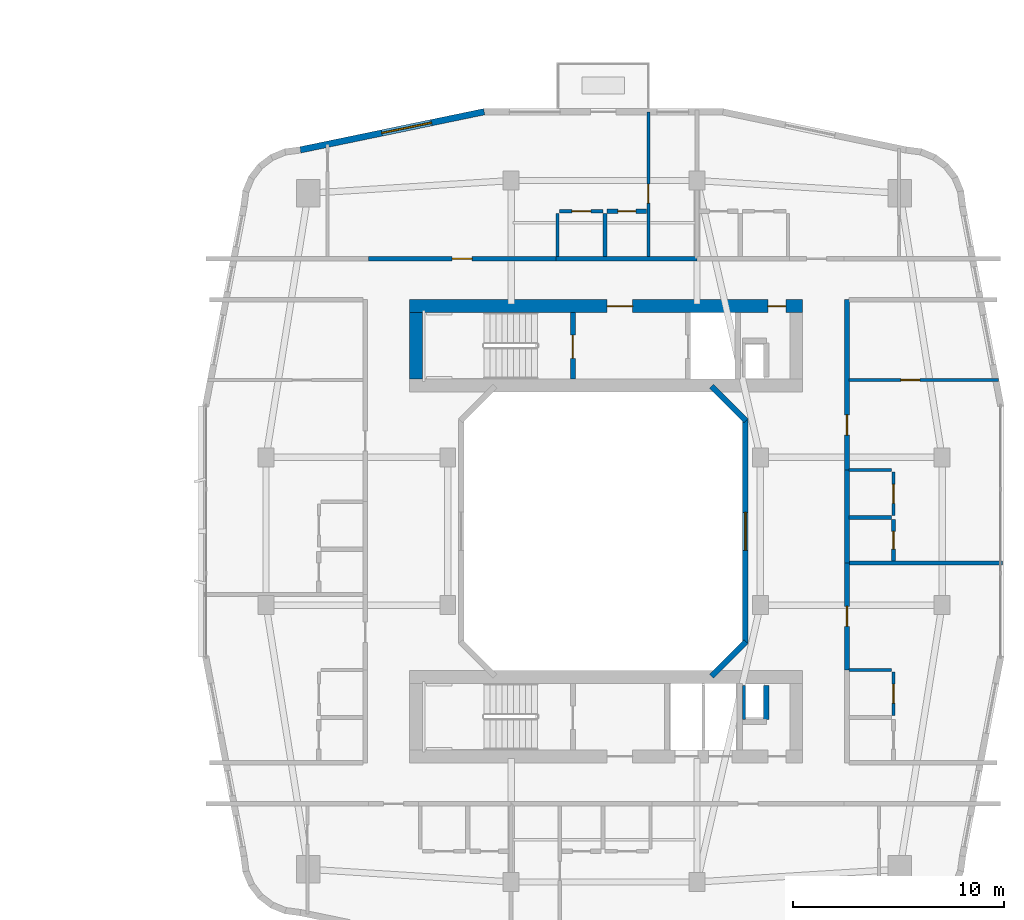
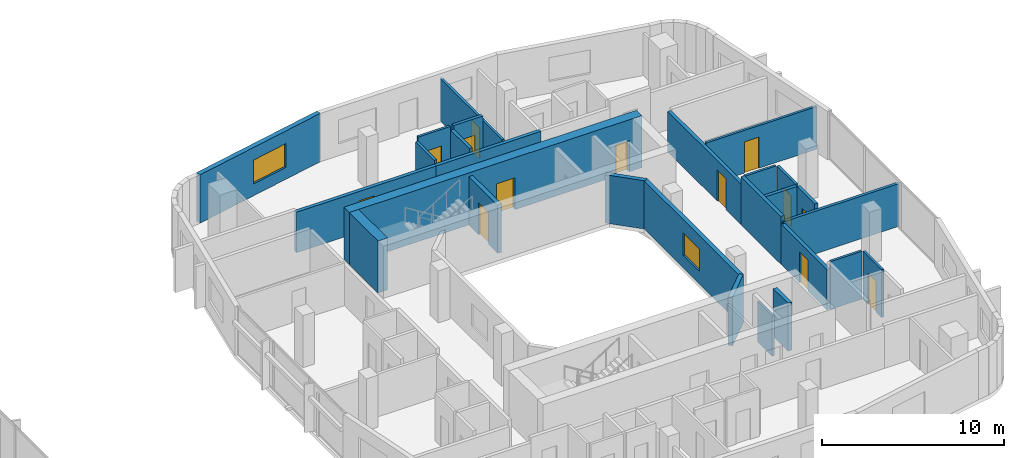
# One storey, part 15 of 22: 27 walls, 13 doors, 2 windows, 15 openings.
"""IFC4 building model written with IfcOpenShell, lengths in metres."""

from ifc_helpers import new_model, si_unit, derived_unit, direction, frame, frame_2d, origin, place, context, subcontext, project, spatial, rectangle, extrude, material, layer, layer_set, type_object, element, fill, save


model = new_model("IFC4")

# Units and contexts
model_context = context("Model", 3, precision=1e-05, world=origin(), true_north=direction((0.0, 1.0)))
body_context = subcontext(model_context, "Body", "Model", "MODEL_VIEW")
ifc_project = project(units=[si_unit("LENGTHUNIT", "METRE"), si_unit("AREAUNIT", "SQUARE_METRE"), si_unit("VOLUMEUNIT", "CUBIC_METRE"), si_unit("PLANEANGLEUNIT", "RADIAN"), si_unit("MASSUNIT", "GRAM", prefix="KILO"), derived_unit("THERMALTRANSMITTANCEUNIT", [(si_unit("POWERUNIT", "WATT"), 1), (si_unit("LENGTHUNIT", "METRE"), -2), (si_unit("THERMODYNAMICTEMPERATUREUNIT", "KELVIN"), -1)])], contexts=[model_context])

# Site, building, storey
site_placement = place(None, origin())
site = spatial("IfcSite", under=ifc_project, at=site_placement, CompositionType="ELEMENT")
building_placement = place(site_placement, origin())
building = spatial("IfcBuilding", under=site, at=building_placement, Name="Kivonza Crest Hotel", CompositionType="ELEMENT")
storey_placement = place(building_placement, frame((0.0, 0.0, 48.5)))
storey = spatial("IfcBuildingStorey", under=building, at=storey_placement, Name="L12", CompositionType="ELEMENT", Elevation=48.5)

# Walls
ifc_material_1 = material(Name="High-density acoustic masonry inter-tenancy wall", Category="masonry")
ifc_layer_1 = layer(ifc_material_1, 0.179931640625)
ifc_layer_set_1 = layer_set([ifc_layer_1], Name="High-density acoustic masonry inter-tenancy wall")
wall_type_1 = type_object("IfcWallType", Name="WL-ACOU-180", PredefinedType="SOLIDWALL", material=ifc_layer_set_1)
wall_1_placement = place(storey_placement, frame((88.5, 23.5, 0.0), z_axis=(0.0, 0.0, 1.0), x_axis=(1.0, 0.0, 0.0)))
element("IfcWall", 1, at=wall_1_placement, inside=storey, type_object=wall_type_1, Name="L12 interior partition WA-L12-T2E-DIV1", PredefinedType="SOLIDWALL", context=body_context, shape_type="SweptSolid", body=[
    extrude(rectangle(XDim=7.360107421875, YDim=0.179931640625, at=frame_2d((3.68017578125, 0.0))), origin(), (0.0, 0.0, 1.0), 2.864990234375),
])
ifc_material_2 = material(Name="Autoclaved aerated concrete blockwork", Category="masonry")
ifc_layer_2 = layer(ifc_material_2, 0.219970703125)
ifc_layer_set_2 = layer_set([ifc_layer_2], Name="Autoclaved aerated concrete blockwork")
wall_type_2 = type_object("IfcWallType", Name="WL-ACOU-220", PredefinedType="SOLIDWALL", material=ifc_layer_set_2)
wall_2_placement = place(storey_placement, frame((74.719970703125, 37.89990234375, 0.0), z_axis=(0.0, 0.0, 1.0), x_axis=(1.0, 0.0, 0.0)))
element("IfcWall", 2, at=wall_2_placement, inside=storey, type_object=wall_type_2, Name="L12 interior partition WA-L12-A01-RCORR", PredefinedType="SOLIDWALL", context=body_context, shape_type="SweptSolid", body=[
    extrude(rectangle(XDim=6.679931640625, YDim=0.219970703125, at=frame_2d((3.33984375, 0.0))), origin(), (0.0, 0.0, 1.0), 2.72509765625),
])

# Wall, opening, door
wall_3_placement = place(storey_placement, frame((65.85009765625, 37.89990234375, 0.0), z_axis=(0.0, 0.0, 1.0), x_axis=(1.0, 0.0, 0.0)))
wall_3 = element("IfcWall", 3, at=wall_3_placement, inside=storey, type_object=wall_type_2, Name="L12 interior partition WA-L12-A01-MCORR", PredefinedType="SOLIDWALL", context=body_context, shape_type="SweptSolid", body=[
    extrude(rectangle(XDim=8.869873046875, YDim=0.219970703125, at=frame_2d((4.43505859375, 0.0))), origin(), (0.0, 0.0, 1.0), 2.72509765625),
])
opening_1_placement = place(wall_3_placement, frame((3.9599609375, 0.0, 0.0)))
opening_1 = element("IfcOpeningElement", 4, at=opening_1_placement, cuts=wall_3, Name="Opening DU-60", PredefinedType="OPENING", context=body_context, shape_type="SweptSolid", body=[
    extrude(rectangle(XDim=0.949951171875, YDim=2.10009765625, at=frame_2d((0.47509765625, 1.050048828125))), frame((0.0, 0.1201171875, 0.0), z_axis=(0.0, -1.0, 0.0), x_axis=(1.0, 0.0, 0.0)), (0.0, 0.0, 1.0), 0.239990234375),
])
ifc_material_3 = material(Name="Hardwood timber oak", Category="wood")
door_type_1 = type_object("IfcDoorType", Name="DR-UNIT-950", OperationType="NOTDEFINED", PredefinedType="DOOR", material=ifc_material_3)
door_1_placement = place(opening_1_placement, origin())
door_1 = element("IfcDoor", 5, at=door_1_placement, inside=storey, type_object=door_type_1, Name="L12 A01 apartment entrance fire door", OperationType="SINGLE_SWING_LEFT", OverallHeight=2.10009765625, OverallWidth=0.949951171875, PredefinedType="DOOR", context=body_context, shape_type="SweptSolid", body=[
    extrude(rectangle(XDim=0.949951171875, YDim=2.10009765625, at=frame_2d((0.47509765625, 1.050048828125))), frame((0.0, 0.02490234375, 0.0), z_axis=(0.0, -1.0, 0.0), x_axis=(1.0, 0.0, 0.0)), (0.0, 0.0, 1.0), 0.050048828125),
])
fill(opening_1, door_1)

wall_4_placement = place(storey_placement, frame((88.5, 18.43994140625, 0.0), z_axis=(0.0, 0.0, 1.0), x_axis=(0.0, 1.0, 0.0)))
wall_4 = element("IfcWall", 6, at=wall_4_placement, inside=storey, type_object=wall_type_2, Name="L12 interior partition WA-L12-A07-MCORR", PredefinedType="SOLIDWALL", context=body_context, shape_type="SweptSolid", body=[
    extrude(rectangle(XDim=5.06005859375, YDim=0.219970703125, at=frame_2d((2.530029296875, 0.0))), origin(), (0.0, 0.0, 1.0), 2.72509765625),
])
opening_2_placement = place(wall_4_placement, frame((2.054931640625, 0.0, 0.0)))
opening_2 = element("IfcOpeningElement", 7, at=opening_2_placement, cuts=wall_4, Name="Opening DU-60", PredefinedType="OPENING", context=body_context, shape_type="SweptSolid", body=[
    extrude(rectangle(XDim=0.949951171875, YDim=2.10009765625, at=frame_2d((0.47509765625, 1.050048828125))), frame((0.0, 0.1201171875, 0.0), z_axis=(0.0, -1.0, 0.0), x_axis=(1.0, 0.0, 0.0)), (0.0, 0.0, 1.0), 0.239990234375),
])
door_2_placement = place(opening_2_placement, frame((0.949951171875, 0.0, 0.0), z_axis=(0.0, 0.0, 1.0), x_axis=(-1.0, 0.0, 0.0)))
door_2 = element("IfcDoor", 8, at=door_2_placement, inside=storey, type_object=door_type_1, Name="L12 A07 apartment entrance fire door", OperationType="SINGLE_SWING_LEFT", OverallHeight=2.10009765625, OverallWidth=0.949951171875, PredefinedType="DOOR", context=body_context, shape_type="SweptSolid", body=[
    extrude(rectangle(XDim=0.949951171875, YDim=2.10009765625, at=frame_2d((0.47509765625, 1.050048828125))), frame((0.0, 0.02490234375, 0.0), z_axis=(0.0, -1.0, 0.0), x_axis=(1.0, 0.0, 0.0)), (0.0, 0.0, 1.0), 0.050048828125),
])
fill(opening_2, door_2)

# Wall
wall_5_placement = place(storey_placement, frame((88.5, 23.5, 0.0), z_axis=(0.0, 0.0, 1.0), x_axis=(0.0, 1.0, 0.0)))
element("IfcWall", 9, at=wall_5_placement, inside=storey, type_object=wall_type_2, Name="L12 interior partition WA-L12-A08-BCORR", PredefinedType="SOLIDWALL", context=body_context, shape_type="SweptSolid", body=[
    extrude(rectangle(XDim=4.39990234375, YDim=0.219970703125, at=frame_2d((2.199951171875, 0.0))), origin(), (0.0, 0.0, 1.0), 3.219970703125),
])

# Wall, opening, door
wall_6_placement = place(storey_placement, frame((88.5, 27.89990234375, 0.0), z_axis=(0.0, 0.0, 1.0), x_axis=(0.0, 1.0, 0.0)))
wall_6 = element("IfcWall", 10, at=wall_6_placement, inside=storey, type_object=wall_type_2, Name="L12 interior partition WA-L12-A08-MCORR", PredefinedType="SOLIDWALL", context=body_context, shape_type="SweptSolid", body=[
    extrude(rectangle(XDim=8.06005859375, YDim=0.219970703125, at=frame_2d((4.030029296875, 0.0))), origin(), (0.0, 0.0, 1.0), 2.72509765625),
])
opening_3_placement = place(wall_6_placement, frame((1.655029296875, 0.0, 0.0)))
opening_3 = element("IfcOpeningElement", 11, at=opening_3_placement, cuts=wall_6, Name="Opening DU-60", PredefinedType="OPENING", context=body_context, shape_type="SweptSolid", body=[
    extrude(rectangle(XDim=0.949951171875, YDim=2.10009765625, at=frame_2d((0.47509765625, 1.050048828125))), frame((0.0, 0.1201171875, 0.0), z_axis=(0.0, -1.0, 0.0), x_axis=(1.0, 0.0, 0.0)), (0.0, 0.0, 1.0), 0.239990234375),
])
door_3_placement = place(opening_3_placement, frame((0.949951171875, 0.0, 0.0), z_axis=(0.0, 0.0, 1.0), x_axis=(-1.0, 0.0, 0.0)))
door_3 = element("IfcDoor", 12, at=door_3_placement, inside=storey, type_object=door_type_1, Name="L12 A08 apartment entrance fire door", OperationType="SINGLE_SWING_RIGHT", OverallHeight=2.10009765625, OverallWidth=0.949951171875, PredefinedType="DOOR", context=body_context, shape_type="SweptSolid", body=[
    extrude(rectangle(XDim=0.949951171875, YDim=2.10009765625, at=frame_2d((0.47509765625, 1.050048828125))), frame((0.0, 0.02490234375, 0.0), z_axis=(0.0, -1.0, 0.0), x_axis=(1.0, 0.0, 0.0)), (0.0, 0.0, 1.0), 0.050048828125),
])
fill(opening_3, door_3)

# Wall, openings, doors
ifc_material_4 = material(Name="Concrete C60/75", Category="concrete")
ifc_layer_3 = layer(ifc_material_4, 0.60009765625)
ifc_layer_set_3 = layer_set([ifc_layer_3], Name="Concrete C60/75")
wall_type_3 = type_object("IfcWallType", Name="WL-CORE-600", PredefinedType="SHEAR", material=ifc_layer_set_3)
wall_7_placement = place(storey_placement, frame((67.800048828125, 35.659912109375, 0.0), z_axis=(0.0, 0.0, 1.0), x_axis=(1.0, 0.0, 0.0)))
wall_7 = element("IfcWall", 13, at=wall_7_placement, inside=storey, type_object=wall_type_3, Name="Core wall T2-N North L12", PredefinedType="SHEAR", context=body_context, shape_type="SweptSolid", body=[
    extrude(rectangle(XDim=18.599853515625, YDim=0.60009765625, at=frame_2d((9.2998046875, 0.0))), origin(), (0.0, 0.0, 1.0), 3.5),
])
opening_4_placement = place(wall_7_placement, frame((9.35009765625, 0.0, 0.0)))
opening_4 = element("IfcOpeningElement", 14, at=opening_4_placement, cuts=wall_7, Name="Opening DF-60", PredefinedType="OPENING", context=body_context, shape_type="SweptSolid", body=[
    extrude(rectangle(XDim=1.199951171875, YDim=2.14990234375, at=frame_2d((0.60009765625, 1.074951171875))), frame((0.0, 0.31005859375, 0.0), z_axis=(0.0, -1.0, 0.0), x_axis=(1.0, 0.0, 0.0)), (0.0, 0.0, 1.0), 0.6201171875),
])
opening_5_placement = place(wall_7_placement, frame((16.949951171875, 0.0, 0.0)))
opening_5 = element("IfcOpeningElement", 15, at=opening_5_placement, cuts=wall_7, Name="Opening DF-60R", PredefinedType="OPENING", context=body_context, shape_type="SweptSolid", body=[
    extrude(rectangle(XDim=0.85009765625, YDim=2.10009765625, at=frame_2d((0.425048828125, 1.050048828125))), frame((0.0, 0.31005859375, 0.0), z_axis=(0.0, -1.0, 0.0), x_axis=(1.0, 0.0, 0.0)), (0.0, 0.0, 1.0), 0.6201171875),
])
door_type_2 = type_object("IfcDoorType", Name="DR-FD60-1200", OperationType="NOTDEFINED", PredefinedType="DOOR", material=ifc_material_3)
door_4_placement = place(opening_4_placement, origin())
door_4 = element("IfcDoor", 16, at=door_4_placement, inside=storey, type_object=door_type_2, Name="L12 T2-N firefighting lobby fire door", OperationType="SINGLE_SWING_RIGHT", OverallHeight=2.14990234375, OverallWidth=1.199951171875, PredefinedType="DOOR", context=body_context, shape_type="SweptSolid", body=[
    extrude(rectangle(XDim=1.199951171875, YDim=2.14990234375, at=frame_2d((0.60009765625, 1.074951171875))), frame((0.0, 0.02490234375, 0.0), z_axis=(0.0, -1.0, 0.0), x_axis=(1.0, 0.0, 0.0)), (0.0, 0.0, 1.0), 0.050048828125),
])
fill(opening_4, door_4)
door_type_3 = type_object("IfcDoorType", Name="DR-FD60-850", OperationType="NOTDEFINED", PredefinedType="DOOR", material=ifc_material_3)
door_5_placement = place(opening_5_placement, origin())
door_5 = element("IfcDoor", 17, at=door_5_placement, inside=storey, type_object=door_type_3, Name="L12 T2-N core room door", OperationType="SINGLE_SWING_RIGHT", OverallHeight=2.10009765625, OverallWidth=0.85009765625, PredefinedType="DOOR", context=body_context, shape_type="SweptSolid", body=[
    extrude(rectangle(XDim=0.85009765625, YDim=2.10009765625, at=frame_2d((0.425048828125, 1.050048828125))), frame((0.0, 0.02490234375, 0.0), z_axis=(0.0, -1.0, 0.0), x_axis=(1.0, 0.0, 0.0)), (0.0, 0.0, 1.0), 0.050048828125),
])
fill(opening_5, door_5)

# Walls
wall_8_placement = place(storey_placement, frame((68.10009765625, 32.199951171875, 0.0), z_axis=(0.0, 0.0, 1.0), x_axis=(0.0, 1.0, 0.0)))
element("IfcWall", 18, at=wall_8_placement, inside=storey, type_object=wall_type_3, Name="Core wall T2-N West L12", PredefinedType="SHEAR", context=body_context, shape_type="SweptSolid", body=[
    extrude(rectangle(XDim=3.16015625, YDim=0.60009765625, at=frame_2d((1.580078125, 0.0))), origin(), (0.0, 0.0, 1.0), 3.5),
])
ifc_material_5 = material(Name="Precast concrete C40/50", Category="concrete")
ifc_layer_4 = layer(ifc_material_5, 0.260009765625)
ifc_layer_set_4 = layer_set([ifc_layer_4], Name="Precast concrete C40/50")
wall_type_4 = type_object("IfcWallType", Name="WL-EXT-260", PredefinedType="STANDARD", material=ifc_layer_set_4)
wall_9_placement = place(storey_placement, frame((82.08203125, 18.137939453125, 0.0), z_axis=(0.0, 0.0, 1.0), x_axis=(0.707106781187, 0.707106781187, 0.0)))
element("IfcWall", 19, at=wall_9_placement, inside=storey, type_object=wall_type_4, Name="L12 T2 light-well exterior wall 2", PredefinedType="STANDARD", context=body_context, shape_type="SweptSolid", body=[
    extrude(rectangle(XDim=2.310791015625, YDim=0.260009765625, at=frame_2d((1.1552734375, 0.0))), origin(), (0.0, 0.0, 1.0), 3.25),
])

# Wall, opening, window
wall_10_placement = place(storey_placement, frame((83.68994140625, 19.7099609375, 0.0), z_axis=(0.0, 0.0, 1.0), x_axis=(0.0, 1.0, 0.0)))
wall_10 = element("IfcWall", 20, at=wall_10_placement, inside=storey, type_object=wall_type_4, Name="L12 T2 light-well exterior wall 3", PredefinedType="STANDARD", context=body_context, shape_type="SweptSolid", body=[
    extrude(rectangle(XDim=10.580078125, YDim=0.260009765625, at=frame_2d((5.2900390625, 0.0))), origin(), (0.0, 0.0, 1.0), 3.25),
])
opening_6_placement = place(wall_10_placement, frame((4.389892578125, 0.0, 0.85009765625)))
opening_6 = element("IfcOpeningElement", 21, at=opening_6_placement, cuts=wall_10, Name="Opening WN-03", PredefinedType="OPENING", context=body_context, shape_type="SweptSolid", body=[
    extrude(rectangle(XDim=1.800048828125, YDim=1.5, at=frame_2d((0.89990234375, 0.75))), frame((0.0, 0.14013671875, 0.0), z_axis=(0.0, -1.0, 0.0), x_axis=(1.0, 0.0, 0.0)), (0.0, 0.0, 1.0), 0.280029296875),
])
ifc_material_6 = material(Name="Thermally broken bronze aluminium and low-E double glazing", Category="aluminium")
window_type_1 = type_object("IfcWindowType", Name="WN-180x150", PartitioningType="DOUBLE_PANEL_VERTICAL", PredefinedType="WINDOW", material=ifc_material_6)
window_1_placement = place(opening_6_placement, origin())
window_1 = element("IfcWindow", 22, at=window_1_placement, inside=storey, type_object=window_type_1, Name="L12 T2 light-well window 3", OverallHeight=1.5, OverallWidth=1.800048828125, PartitioningType="SINGLE_PANEL", PredefinedType="WINDOW", context=body_context, shape_type="SweptSolid", body=[
    extrude(rectangle(XDim=1.800048828125, YDim=1.5, at=frame_2d((0.89990234375, 0.75))), frame((0.0, 0.030029296875, 0.0), z_axis=(0.0, -1.0, 0.0), x_axis=(1.0, 0.0, 0.0)), (0.0, 0.0, 1.0), 0.06005859375),
])
fill(opening_6, window_1)

# Wall
wall_11_placement = place(storey_placement, frame((83.716064453125, 30.22802734375, 0.0), z_axis=(0.0, 0.0, 1.0), x_axis=(-0.707106781187, 0.707106781187, 0.0)))
element("IfcWall", 23, at=wall_11_placement, inside=storey, type_object=wall_type_4, Name="L12 T2 light-well exterior wall 4", PredefinedType="STANDARD", context=body_context, shape_type="SweptSolid", body=[
    extrude(rectangle(XDim=2.310791015625, YDim=0.260009765625, at=frame_2d((1.1552734375, 0.0))), origin(), (0.0, 0.0, 1.0), 3.25),
])

# Wall, opening, window
ifc_layer_5 = layer(ifc_material_5, 0.300048828125)
ifc_layer_set_5 = layer_set([ifc_layer_5], Name="Precast concrete C40/50")
wall_type_5 = type_object("IfcWallType", Name="WL-EXT-300", PredefinedType="STANDARD", material=ifc_layer_set_5)
wall_12_placement = place(storey_placement, frame((71.325927734375, 44.85791015625, 0.0), z_axis=(0.0, 0.0, 1.0), x_axis=(-0.979124350489, -0.203262161453, 0.0)))
wall_12 = element("IfcWall", 24, at=wall_12_placement, inside=storey, type_object=wall_type_5, Name="L12 T2 exterior insulated wall 27", PredefinedType="STANDARD", context=body_context, shape_type="SweptSolid", body=[
    extrude(rectangle(XDim=8.889404296875, YDim=0.300048828125, at=frame_2d((4.44482421875, 0.0))), origin(), (0.0, 0.0, 1.0), 3.25),
])
opening_7_placement = place(wall_12_placement, frame((2.548095703125, 0.0, 0.800048828125)))
opening_7 = element("IfcOpeningElement", 25, at=opening_7_placement, cuts=wall_12, Name="Opening WN-05", PredefinedType="OPENING", context=body_context, shape_type="SweptSolid", body=[
    extrude(rectangle(XDim=2.39990234375, YDim=1.60009765625, at=frame_2d((1.199951171875, 0.800048828125))), frame((0.0, 0.16015625, 0.0), z_axis=(0.0, -1.0, 0.0), x_axis=(1.0, 0.0, 0.0)), (0.0, 0.0, 1.0), 0.320068359375),
])
window_type_2 = type_object("IfcWindowType", Name="WN-240x160", PartitioningType="TRIPLE_PANEL_VERTICAL", PredefinedType="WINDOW", material=ifc_material_6)
window_2_placement = place(opening_7_placement, origin())
window_2 = element("IfcWindow", 26, at=window_2_placement, inside=storey, type_object=window_type_2, Name="L12 T2 facade window 27", OverallHeight=1.60009765625, OverallWidth=2.39990234375, PartitioningType="SINGLE_PANEL", PredefinedType="WINDOW", context=body_context, shape_type="SweptSolid", body=[
    extrude(rectangle(XDim=2.39990234375, YDim=1.60009765625, at=frame_2d((1.199951171875, 0.800048828125))), frame((0.0, 0.030029296875, 0.0), z_axis=(0.0, -1.0, 0.0), x_axis=(1.0, 0.0, 0.0)), (0.0, 0.0, 1.0), 0.06005859375),
])
fill(opening_7, window_2)

# Walls
ifc_material_7 = material(Name="Concrete blockwork fire-compartment wall", Category="masonry")
ifc_layer_6 = layer(ifc_material_7, 0.25)
ifc_layer_set_6 = layer_set([ifc_layer_6], Name="Concrete blockwork fire-compartment wall")
wall_type_6 = type_object("IfcWallType", Name="WL-FIRE-250", PredefinedType="SOLIDWALL", material=ifc_layer_set_6)
wall_13_placement = place(storey_placement, frame((84.679931640625, 16.080078125, 0.0), z_axis=(0.0, 0.0, 1.0), x_axis=(0.0, 1.0, 0.0)))
element("IfcWall", 27, at=wall_13_placement, inside=storey, type_object=wall_type_6, Name="L12 interior partition WA-L12-T2-S-MEPR-E", PredefinedType="SOLIDWALL", context=body_context, shape_type="SweptSolid", body=[
    extrude(rectangle(XDim=1.619873046875, YDim=0.25, at=frame_2d((0.81005859375, 0.0))), origin(), (0.0, 0.0, 1.0), 3.219970703125),
])
ifc_material_8 = material(Name="Twin-stud acoustic gypsum board partition", Category="gypsum")
ifc_layer_7 = layer(ifc_material_8, 0.14990234375)
ifc_layer_set_7 = layer_set([ifc_layer_7], Name="Twin-stud acoustic gypsum board partition")
wall_type_7 = type_object("IfcWallType", Name="WL-PART-150", PredefinedType="PARTITIONING", material=ifc_layer_set_7)
wall_14_placement = place(storey_placement, frame((83.6298828125, 16.080078125, 0.0), z_axis=(0.0, 0.0, 1.0), x_axis=(0.0, 1.0, 0.0)))
element("IfcWall", 28, at=wall_14_placement, inside=storey, type_object=wall_type_7, Name="L12 interior partition WA-L12-T2-S-MEPR-W", PredefinedType="PARTITIONING", context=body_context, shape_type="SweptSolid", body=[
    extrude(rectangle(XDim=1.619873046875, YDim=0.14990234375, at=frame_2d((0.81005859375, 0.0))), origin(), (0.0, 0.0, 1.0), 2.72509765625),
])

# Wall, opening, door
wall_15_placement = place(storey_placement, frame((79.10009765625, 38.0, 0.0), z_axis=(0.0, 0.0, 1.0), x_axis=(0.0, 1.0, 0.0)))
wall_15 = element("IfcWall", 29, at=wall_15_placement, inside=storey, type_object=wall_type_7, Name="L12 interior partition WP-L12-A01-BDW2", PredefinedType="PARTITIONING", context=body_context, shape_type="SweptSolid", body=[
    extrude(rectangle(XDim=6.840087890625, YDim=0.14990234375, at=frame_2d((3.419921875, 0.0))), origin(), (0.0, 0.0, 1.0), 2.864990234375),
])
opening_8_placement = place(wall_15_placement, frame((2.530029296875, 0.0, 0.0)))
opening_8 = element("IfcOpeningElement", 30, at=opening_8_placement, cuts=wall_15, Name="Opening DI-90", PredefinedType="OPENING", context=body_context, shape_type="SweptSolid", body=[
    extrude(rectangle(XDim=0.89990234375, YDim=2.10009765625, at=frame_2d((0.449951171875, 1.050048828125))), frame((0.0, 0.0849609375, 0.0), z_axis=(0.0, -1.0, 0.0), x_axis=(1.0, 0.0, 0.0)), (0.0, 0.0, 1.0), 0.169921875),
])
door_type_4 = type_object("IfcDoorType", Name="DR-INT-900", OperationType="NOTDEFINED", PredefinedType="DOOR", material=ifc_material_3)
door_6_placement = place(opening_8_placement, origin())
door_6 = element("IfcDoor", 31, at=door_6_placement, inside=storey, type_object=door_type_4, Name="L12 A01 bedroom 2 door", OperationType="SINGLE_SWING_LEFT", OverallHeight=2.10009765625, OverallWidth=0.89990234375, PredefinedType="DOOR", context=body_context, shape_type="SweptSolid", body=[
    extrude(rectangle(XDim=0.89990234375, YDim=2.10009765625, at=frame_2d((0.449951171875, 1.050048828125))), frame((0.0, 0.02490234375, 0.0), z_axis=(0.0, -1.0, 0.0), x_axis=(1.0, 0.0, 0.0)), (0.0, 0.0, 1.0), 0.050048828125),
])
fill(opening_8, door_6)

# Wall
wall_16_placement = place(storey_placement, frame((74.800048828125, 38.0, 0.0), z_axis=(0.0, 0.0, 1.0), x_axis=(0.0, 1.0, 0.0)))
element("IfcWall", 32, at=wall_16_placement, inside=storey, type_object=wall_type_7, Name="L12 interior partition WP-L12-A01-KF", PredefinedType="PARTITIONING", context=body_context, shape_type="SweptSolid", body=[
    extrude(rectangle(XDim=2.050048828125, YDim=0.14990234375, at=frame_2d((1.02490234375, 0.0))), origin(), (0.0, 0.0, 1.0), 2.985107421875),
])

# Wall, opening, door
wall_17_placement = place(storey_placement, frame((74.89990234375, 40.14990234375, 0.0), z_axis=(0.0, 0.0, 1.0), x_axis=(1.0, 0.0, 0.0)))
wall_17 = element("IfcWall", 33, at=wall_17_placement, inside=storey, type_object=wall_type_7, Name="L12 interior partition WP-L12-A01-KSVC", PredefinedType="PARTITIONING", context=body_context, shape_type="SweptSolid", body=[
    extrude(rectangle(XDim=2.050048828125, YDim=0.14990234375, at=frame_2d((1.02490234375, 0.0))), origin(), (0.0, 0.0, 1.0), 3.219970703125),
])
opening_9_placement = place(wall_17_placement, frame((0.574951171875, 0.0, 0.0)))
opening_9 = element("IfcOpeningElement", 34, at=opening_9_placement, cuts=wall_17, Name="Opening DI-90", PredefinedType="OPENING", context=body_context, shape_type="SweptSolid", body=[
    extrude(rectangle(XDim=0.89990234375, YDim=2.10009765625, at=frame_2d((0.449951171875, 1.050048828125))), frame((0.0, 0.0849609375, 0.0), z_axis=(0.0, -1.0, 0.0), x_axis=(1.0, 0.0, 0.0)), (0.0, 0.0, 1.0), 0.169921875),
])
door_7_placement = place(opening_9_placement, origin())
door_7 = element("IfcDoor", 35, at=door_7_placement, inside=storey, type_object=door_type_4, Name="L12 A01 apartment kitchen door", OperationType="SINGLE_SWING_LEFT", OverallHeight=2.10009765625, OverallWidth=0.89990234375, PredefinedType="DOOR", context=body_context, shape_type="SweptSolid", body=[
    extrude(rectangle(XDim=0.89990234375, YDim=2.10009765625, at=frame_2d((0.449951171875, 1.050048828125))), frame((0.0, 0.02490234375, 0.0), z_axis=(0.0, -1.0, 0.0), x_axis=(1.0, 0.0, 0.0)), (0.0, 0.0, 1.0), 0.050048828125),
])
fill(opening_9, door_7)

# Wall
wall_18_placement = place(storey_placement, frame((88.60009765625, 18.43994140625, 0.0), z_axis=(0.0, 0.0, 1.0), x_axis=(1.0, 0.0, 0.0)))
element("IfcWall", 36, at=wall_18_placement, inside=storey, type_object=wall_type_7, Name="L12 interior partition WP-L12-A07-KF", PredefinedType="PARTITIONING", context=body_context, shape_type="SweptSolid", body=[
    extrude(rectangle(XDim=2.0, YDim=0.14990234375, at=frame_2d((1.0, 0.0))), origin(), (0.0, 0.0, 1.0), 3.219970703125),
])

# Wall, opening, door
wall_19_placement = place(storey_placement, frame((90.699951171875, 16.2900390625, 0.0), z_axis=(0.0, 0.0, 1.0), x_axis=(0.0, 1.0, 0.0)))
wall_19 = element("IfcWall", 37, at=wall_19_placement, inside=storey, type_object=wall_type_7, Name="L12 interior partition WP-L12-A07-KSVC", PredefinedType="PARTITIONING", context=body_context, shape_type="SweptSolid", body=[
    extrude(rectangle(XDim=2.050048828125, YDim=0.14990234375, at=frame_2d((1.02490234375, 0.0))), origin(), (0.0, 0.0, 1.0), 3.219970703125),
])
opening_10_placement = place(wall_19_placement, frame((0.574951171875, 0.0, 0.0)))
opening_10 = element("IfcOpeningElement", 38, at=opening_10_placement, cuts=wall_19, Name="Opening DI-90", PredefinedType="OPENING", context=body_context, shape_type="SweptSolid", body=[
    extrude(rectangle(XDim=0.89990234375, YDim=2.10009765625, at=frame_2d((0.449951171875, 1.050048828125))), frame((0.0, 0.0849609375, 0.0), z_axis=(0.0, -1.0, 0.0), x_axis=(1.0, 0.0, 0.0)), (0.0, 0.0, 1.0), 0.169921875),
])
door_8_placement = place(opening_10_placement, frame((0.89990234375, 0.0, 0.0), z_axis=(0.0, 0.0, 1.0), x_axis=(-1.0, 0.0, 0.0)))
door_8 = element("IfcDoor", 39, at=door_8_placement, inside=storey, type_object=door_type_4, Name="L12 A07 apartment kitchen door", OperationType="SINGLE_SWING_LEFT", OverallHeight=2.10009765625, OverallWidth=0.89990234375, PredefinedType="DOOR", context=body_context, shape_type="SweptSolid", body=[
    extrude(rectangle(XDim=0.89990234375, YDim=2.10009765625, at=frame_2d((0.449951171875, 1.050048828125))), frame((0.0, 0.02490234375, 0.0), z_axis=(0.0, -1.0, 0.0), x_axis=(1.0, 0.0, 0.0)), (0.0, 0.0, 1.0), 0.050048828125),
])
fill(opening_10, door_8)

wall_20_placement = place(storey_placement, frame((88.60009765625, 32.159912109375, 0.0), z_axis=(0.0, 0.0, 1.0), x_axis=(1.0, 0.0, 0.0)))
wall_20 = element("IfcWall", 40, at=wall_20_placement, inside=storey, type_object=wall_type_7, Name="L12 interior partition WP-L12-A08-BD1", PredefinedType="PARTITIONING", context=body_context, shape_type="SweptSolid", body=[
    extrude(rectangle(XDim=7.059814453125, YDim=0.14990234375, at=frame_2d((3.52978515625, 0.0))), origin(), (0.0, 0.0, 1.0), 2.864990234375),
])
opening_11_placement = place(wall_20_placement, frame((2.449951171875, 0.0, 0.0)))
opening_11 = element("IfcOpeningElement", 41, at=opening_11_placement, cuts=wall_20, Name="Opening DI-90", PredefinedType="OPENING", context=body_context, shape_type="SweptSolid", body=[
    extrude(rectangle(XDim=0.89990234375, YDim=2.10009765625, at=frame_2d((0.449951171875, 1.050048828125))), frame((0.0, 0.0849609375, 0.0), z_axis=(0.0, -1.0, 0.0), x_axis=(1.0, 0.0, 0.0)), (0.0, 0.0, 1.0), 0.169921875),
])
door_9_placement = place(opening_11_placement, origin())
door_9 = element("IfcDoor", 42, at=door_9_placement, inside=storey, type_object=door_type_4, Name="L12 A08 bedroom door", OperationType="SINGLE_SWING_LEFT", OverallHeight=2.10009765625, OverallWidth=0.89990234375, PredefinedType="DOOR", context=body_context, shape_type="SweptSolid", body=[
    extrude(rectangle(XDim=0.89990234375, YDim=2.10009765625, at=frame_2d((0.449951171875, 1.050048828125))), frame((0.0, 0.02490234375, 0.0), z_axis=(0.0, -1.0, 0.0), x_axis=(1.0, 0.0, 0.0)), (0.0, 0.0, 1.0), 0.050048828125),
])
fill(opening_11, door_9)

# Wall
wall_21_placement = place(storey_placement, frame((88.60009765625, 27.89990234375, 0.0), z_axis=(0.0, 0.0, 1.0), x_axis=(1.0, 0.0, 0.0)))
element("IfcWall", 43, at=wall_21_placement, inside=storey, type_object=wall_type_7, Name="L12 interior partition WP-L12-A08-KF", PredefinedType="PARTITIONING", context=body_context, shape_type="SweptSolid", body=[
    extrude(rectangle(XDim=2.0, YDim=0.14990234375, at=frame_2d((1.0, 0.0))), origin(), (0.0, 0.0, 1.0), 3.219970703125),
])

# Wall, opening, door
wall_22_placement = place(storey_placement, frame((90.699951171875, 25.75, 0.0), z_axis=(0.0, 0.0, 1.0), x_axis=(0.0, 1.0, 0.0)))
wall_22 = element("IfcWall", 44, at=wall_22_placement, inside=storey, type_object=wall_type_7, Name="L12 interior partition WP-L12-A08-KSVC", PredefinedType="PARTITIONING", context=body_context, shape_type="SweptSolid", body=[
    extrude(rectangle(XDim=2.050048828125, YDim=0.14990234375, at=frame_2d((1.02490234375, 0.0))), origin(), (0.0, 0.0, 1.0), 3.219970703125),
])
opening_12_placement = place(wall_22_placement, frame((0.574951171875, 0.0, 0.0)))
opening_12 = element("IfcOpeningElement", 45, at=opening_12_placement, cuts=wall_22, Name="Opening DI-90", PredefinedType="OPENING", context=body_context, shape_type="SweptSolid", body=[
    extrude(rectangle(XDim=0.89990234375, YDim=2.10009765625, at=frame_2d((0.449951171875, 1.050048828125))), frame((0.0, 0.0849609375, 0.0), z_axis=(0.0, -1.0, 0.0), x_axis=(1.0, 0.0, 0.0)), (0.0, 0.0, 1.0), 0.169921875),
])
door_10_placement = place(opening_12_placement, frame((0.89990234375, 0.0, 0.0), z_axis=(0.0, 0.0, 1.0), x_axis=(-1.0, 0.0, 0.0)))
door_10 = element("IfcDoor", 46, at=door_10_placement, inside=storey, type_object=door_type_4, Name="L12 A08 apartment kitchen door", OperationType="SINGLE_SWING_RIGHT", OverallHeight=2.10009765625, OverallWidth=0.89990234375, PredefinedType="DOOR", context=body_context, shape_type="SweptSolid", body=[
    extrude(rectangle(XDim=0.89990234375, YDim=2.10009765625, at=frame_2d((0.449951171875, 1.050048828125))), frame((0.0, 0.02490234375, 0.0), z_axis=(0.0, -1.0, 0.0), x_axis=(1.0, 0.0, 0.0)), (0.0, 0.0, 1.0), 0.050048828125),
])
fill(opening_12, door_10)

# Wall
ifc_material_9 = material(Name="Moisture-resistant plumbing chase partition wall", Category="gypsum")
ifc_layer_8 = layer(ifc_material_9, 0.199951171875)
ifc_layer_set_8 = layer_set([ifc_layer_8], Name="Moisture-resistant plumbing chase partition wall")
wall_type_8 = type_object("IfcWallType", Name="WL-PLUMB-200", PredefinedType="PLUMBINGWALL", material=ifc_layer_set_8)
wall_23_placement = place(storey_placement, frame((77.050048828125, 38.0, 0.0), z_axis=(0.0, 0.0, 1.0), x_axis=(0.0, 1.0, 0.0)))
element("IfcWall", 47, at=wall_23_placement, inside=storey, type_object=wall_type_8, Name="L12 interior partition WW-L12-A01-BK", PredefinedType="PLUMBINGWALL", context=body_context, shape_type="SweptSolid", body=[
    extrude(rectangle(XDim=2.050048828125, YDim=0.199951171875, at=frame_2d((1.02490234375, 0.0))), origin(), (0.0, 0.0, 1.0), 2.985107421875),
])

# Wall, opening, door
wall_24_placement = place(storey_placement, frame((77.14990234375, 40.14990234375, 0.0), z_axis=(0.0, 0.0, 1.0), x_axis=(1.0, 0.0, 0.0)))
wall_24 = element("IfcWall", 48, at=wall_24_placement, inside=storey, type_object=wall_type_8, Name="L12 interior partition WW-L12-A01-BSVC", PredefinedType="PLUMBINGWALL", context=body_context, shape_type="SweptSolid", body=[
    extrude(rectangle(XDim=1.85009765625, YDim=0.199951171875, at=frame_2d((0.925048828125, 0.0))), origin(), (0.0, 0.0, 1.0), 3.219970703125),
])
opening_13_placement = place(wall_24_placement, frame((0.5, 0.0, 0.0)))
opening_13 = element("IfcOpeningElement", 49, at=opening_13_placement, cuts=wall_24, Name="Opening DI-85", PredefinedType="OPENING", context=body_context, shape_type="SweptSolid", body=[
    extrude(rectangle(XDim=0.85009765625, YDim=2.10009765625, at=frame_2d((0.425048828125, 1.050048828125))), frame((0.0, 0.10986328125, 0.0), z_axis=(0.0, -1.0, 0.0), x_axis=(1.0, 0.0, 0.0)), (0.0, 0.0, 1.0), 0.219970703125),
])
door_type_5 = type_object("IfcDoorType", Name="DR-INT-850", OperationType="NOTDEFINED", PredefinedType="DOOR", material=ifc_material_3)
door_11_placement = place(opening_13_placement, origin())
door_11 = element("IfcDoor", 50, at=door_11_placement, inside=storey, type_object=door_type_5, Name="L12 A01 apartment bathroom door", OperationType="SINGLE_SWING_RIGHT", OverallHeight=2.10009765625, OverallWidth=0.85009765625, PredefinedType="DOOR", context=body_context, shape_type="SweptSolid", body=[
    extrude(rectangle(XDim=0.85009765625, YDim=2.10009765625, at=frame_2d((0.425048828125, 1.050048828125))), frame((0.0, 0.02490234375, 0.0), z_axis=(0.0, -1.0, 0.0), x_axis=(1.0, 0.0, 0.0)), (0.0, 0.0, 1.0), 0.050048828125),
])
fill(opening_13, door_11)

# Wall
wall_25_placement = place(storey_placement, frame((88.60009765625, 25.64990234375, 0.0), z_axis=(0.0, 0.0, 1.0), x_axis=(1.0, 0.0, 0.0)))
element("IfcWall", 51, at=wall_25_placement, inside=storey, type_object=wall_type_8, Name="L12 interior partition WW-L12-A08-BK", PredefinedType="PLUMBINGWALL", context=body_context, shape_type="SweptSolid", body=[
    extrude(rectangle(XDim=2.0, YDim=0.199951171875, at=frame_2d((1.0, 0.0))), origin(), (0.0, 0.0, 1.0), 3.219970703125),
])

# Wall, opening, door
wall_26_placement = place(storey_placement, frame((90.699951171875, 23.60009765625, 0.0), z_axis=(0.0, 0.0, 1.0), x_axis=(0.0, 1.0, 0.0)))
wall_26 = element("IfcWall", 52, at=wall_26_placement, inside=storey, type_object=wall_type_8, Name="L12 interior partition WW-L12-A08-BSVC", PredefinedType="PLUMBINGWALL", context=body_context, shape_type="SweptSolid", body=[
    extrude(rectangle(XDim=1.949951171875, YDim=0.199951171875, at=frame_2d((0.97509765625, 0.0))), origin(), (0.0, 0.0, 1.0), 3.219970703125),
])
opening_14_placement = place(wall_26_placement, frame((0.550048828125, 0.0, 0.0)))
opening_14 = element("IfcOpeningElement", 53, at=opening_14_placement, cuts=wall_26, Name="Opening DI-85", PredefinedType="OPENING", context=body_context, shape_type="SweptSolid", body=[
    extrude(rectangle(XDim=0.85009765625, YDim=2.10009765625, at=frame_2d((0.425048828125, 1.050048828125))), frame((0.0, 0.10986328125, 0.0), z_axis=(0.0, -1.0, 0.0), x_axis=(1.0, 0.0, 0.0)), (0.0, 0.0, 1.0), 0.219970703125),
])
door_12_placement = place(opening_14_placement, frame((0.85009765625, 0.0, 0.0), z_axis=(0.0, 0.0, 1.0), x_axis=(-1.0, 0.0, 0.0)))
door_12 = element("IfcDoor", 54, at=door_12_placement, inside=storey, type_object=door_type_5, Name="L12 A08 apartment bathroom door", OperationType="SINGLE_SWING_LEFT", OverallHeight=2.10009765625, OverallWidth=0.85009765625, PredefinedType="DOOR", context=body_context, shape_type="SweptSolid", body=[
    extrude(rectangle(XDim=0.85009765625, YDim=2.10009765625, at=frame_2d((0.425048828125, 1.050048828125))), frame((0.0, 0.02490234375, 0.0), z_axis=(0.0, -1.0, 0.0), x_axis=(1.0, 0.0, 0.0)), (0.0, 0.0, 1.0), 0.050048828125),
])
fill(opening_14, door_12)

ifc_material_10 = material(Name="Concrete C50/60", Category="concrete")
ifc_layer_9 = layer(ifc_material_10, 0.25)
ifc_layer_set_9 = layer_set([ifc_layer_9], Name="Concrete C50/60")
wall_type_9 = type_object("IfcWallType", Name="WL-SHAFT-250", PredefinedType="STANDARD", material=ifc_layer_set_9)
wall_27_placement = place(storey_placement, frame((75.52490234375, 32.199951171875, 0.0), z_axis=(0.0, 0.0, 1.0), x_axis=(0.0, 1.0, 0.0)))
wall_27 = element("IfcWall", 55, at=wall_27_placement, inside=storey, type_object=wall_type_9, Name="Core shaft wall T2-N STAIR L12", PredefinedType="STANDARD", context=body_context, shape_type="SweptSolid", body=[
    extrude(rectangle(XDim=3.16015625, YDim=0.25, at=frame_2d((1.580078125, 0.0))), origin(), (0.0, 0.0, 1.0), 3.25),
])
opening_15_placement = place(wall_27_placement, frame((0.97998046875, 0.0, 0.0)))
opening_15 = element("IfcOpeningElement", 56, at=opening_15_placement, cuts=wall_27, Name="Opening DF-120", PredefinedType="OPENING", context=body_context, shape_type="SweptSolid", body=[
    extrude(rectangle(XDim=1.10009765625, YDim=2.14990234375, at=frame_2d((0.550048828125, 1.074951171875))), frame((0.0, 0.135009765625, 0.0), z_axis=(0.0, -1.0, 0.0), x_axis=(1.0, 0.0, 0.0)), (0.0, 0.0, 1.0), 0.27001953125),
])
ifc_material_11 = material(Name="Galvanised steel", Category="steel")
door_type_6 = type_object("IfcDoorType", Name="DR-FD120-1100", OperationType="NOTDEFINED", PredefinedType="DOOR", material=ifc_material_11)
door_13_placement = place(opening_15_placement, frame((1.10009765625, 0.0, 0.0), z_axis=(0.0, 0.0, 1.0), x_axis=(-1.0, 0.0, 0.0)))
door_13 = element("IfcDoor", 57, at=door_13_placement, inside=storey, type_object=door_type_6, Name="L12 T2-N stair fire door", OperationType="SINGLE_SWING_LEFT", OverallHeight=2.14990234375, OverallWidth=1.10009765625, PredefinedType="DOOR", context=body_context, shape_type="SweptSolid", body=[
    extrude(rectangle(XDim=1.10009765625, YDim=2.14990234375, at=frame_2d((0.550048828125, 1.074951171875))), frame((0.0, 0.02490234375, 0.0), z_axis=(0.0, -1.0, 0.0), x_axis=(1.0, 0.0, 0.0)), (0.0, 0.0, 1.0), 0.050048828125),
])
fill(opening_15, door_13)

save(model, "model.ifc")
